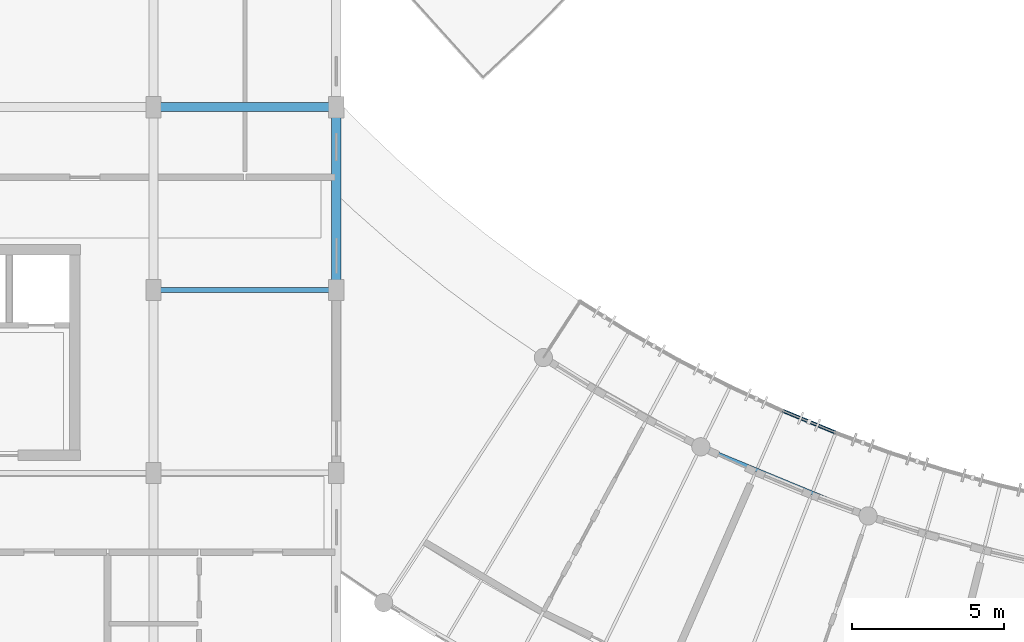
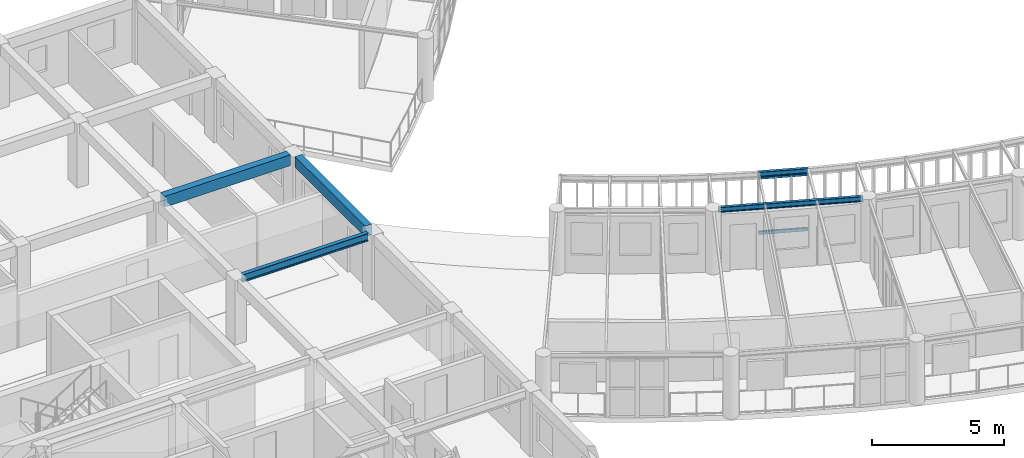
# One storey, part 8 of 101: 5 beams, 2 members.
"""IFC4 building model written with IfcOpenShell, lengths in metres."""

import ifcopenshell
import ifcopenshell.guid

model = None  # the IFC model being written
_history = None  # IfcOwnerHistory: only IFC2X3 demands one
_inside = {}  # id of a spatial element -> (the spatial element, [elements in it])
_under = {}  # id of a project, library or spatial element -> (it, [spatial elements below it])
_declared = {}  # id of a project -> (the project, [libraries it declares])
_typed = {}  # id of a type object -> (the type object, [elements of that type])
_made_of = {}  # id of a material, layer set ... -> (it, [elements and type objects made of it])


def new_model(schema):
    """Start an empty IFC model of exactly this schema.

    Asked for "IFC4X3", IfcOpenShell would pick the latest addendum, in which some entities
    have other attributes; the version numbers below select the first issue.
    IFC2X3 requires an IfcOwnerHistory on every rooted entity: one is made here for all.
    """
    global model, _history
    if schema == "IFC4X3":
        model = ifcopenshell.file(schema_version=(4, 3, 0, 0))
    else:
        model = ifcopenshell.file(schema=schema)
    _inside.clear()
    _under.clear()
    _declared.clear()
    _typed.clear()
    _made_of.clear()
    _history = None
    if model.schema == "IFC2X3":
        org = make("IfcOrganization", Name="unknown")
        user = make(
            "IfcPersonAndOrganization",
            ThePerson=make("IfcPerson", FamilyName="unknown"),
            TheOrganization=org,
        )
        app = make(
            "IfcApplication",
            ApplicationDeveloper=org,
            Version="unknown",
            ApplicationFullName="unknown",
            ApplicationIdentifier="unknown",
        )
        _history = make(
            "IfcOwnerHistory",
            OwningUser=user,
            OwningApplication=app,
            ChangeAction="ADDED",
            CreationDate=0,
        )
    return model


def make(cls, **values):
    """One entity of the class cls with the attributes given. An attribute that is None is left unset."""
    return model.create_entity(
        cls, **{name: value for name, value in values.items() if value is not None}
    )


def rooted(cls, **values):
    """An entity with a GlobalId (a new one), such as an element, a storey or a relation."""
    return make(cls, GlobalId=ifcopenshell.guid.new(), OwnerHistory=_history, **values)


def si_unit(unit_type, name, prefix=None):
    """IfcSIUnit, for example si_unit("LENGTHUNIT", "METRE", prefix="MILLI")."""
    return make("IfcSIUnit", UnitType=unit_type, Prefix=prefix, Name=name)


def assignment(units):
    """IfcUnitAssignment: the units of a project."""
    return None if units is None else make("IfcUnitAssignment", Units=units)


def point(xyz):
    """IfcCartesianPoint."""
    return None if xyz is None else make("IfcCartesianPoint", Coordinates=xyz)


def direction(xyz):
    """IfcDirection."""
    return None if xyz is None else make("IfcDirection", DirectionRatios=xyz)


def frame(location, z_axis=None, x_axis=None):
    """IfcAxis2Placement3D, a coordinate frame: its origin and axes. An axis left out is left unset."""
    return make(
        "IfcAxis2Placement3D",
        Location=point(location),
        Axis=direction(z_axis),
        RefDirection=direction(x_axis),
    )


def frame_2d(location, x_axis=None):
    """IfcAxis2Placement2D, a coordinate frame in the plane: its origin and x axis."""
    return make(
        "IfcAxis2Placement2D", Location=point(location), RefDirection=direction(x_axis)
    )


def origin():
    """The frame at (0, 0, 0) with its axes left unset."""
    return frame((0.0, 0.0, 0.0))


def origin_2d():
    """The frame at (0, 0) in the plane with its x axis left unset."""
    return frame_2d((0.0, 0.0))


def place(relative_to, where):
    """IfcLocalPlacement: puts the frame where relative to a parent placement (None: the world)."""
    return make(
        "IfcLocalPlacement", PlacementRelTo=relative_to, RelativePlacement=where
    )


def context(
    kind, dimensions, precision=None, world=None, true_north=None, identifier=None
):
    """IfcGeometricRepresentationContext, for example the 3D "Model" context."""
    return make(
        "IfcGeometricRepresentationContext",
        ContextIdentifier=identifier,
        ContextType=kind,
        CoordinateSpaceDimension=dimensions,
        Precision=precision,
        WorldCoordinateSystem=world,
        TrueNorth=true_north,
    )


def subcontext(parent, identifier, kind, view, scale=None):
    """IfcGeometricRepresentationSubContext, for example "Body" below "Model"."""
    return make(
        "IfcGeometricRepresentationSubContext",
        ContextIdentifier=identifier,
        ContextType=kind,
        ParentContext=parent,
        TargetScale=scale,
        TargetView=view,
    )


def project(units=None, contexts=None):
    """IfcProject with its units and contexts."""
    return rooted(
        "IfcProject",
        Name="project",
        RepresentationContexts=contexts,
        UnitsInContext=assignment(units),
    )


def spatial(cls, under=None, at=None, **own):
    """A site, building, storey or space (cls), placed at a placement, below another one or the project."""
    s = rooted(cls, ObjectPlacement=at, **own)
    if under is not None:
        _under.setdefault(under.id(), (under, []))[1].append(s)
    return s


def profile(cls, at=None, kind="AREA", **sizes):
    """A parametric profile (cls). Its sizes go by their IFC names, for example OverallWidth=200.0."""
    return make(cls, ProfileType=kind, Position=at, **sizes)


def rectangle(**sizes):
    """IfcRectangleProfileDef."""
    return profile("IfcRectangleProfileDef", **sizes)


def hollow_rectangle(**sizes):
    """IfcRectangleHollowProfileDef."""
    return profile("IfcRectangleHollowProfileDef", **sizes)


def i_section(**sizes):
    """IfcIShapeProfileDef."""
    return profile("IfcIShapeProfileDef", **sizes)


def extrude(swept, where, along, depth):
    """IfcExtrudedAreaSolid: the profile swept, set in the frame where, extruded along a direction by depth."""
    return make(
        "IfcExtrudedAreaSolid",
        SweptArea=swept,
        Position=where,
        ExtrudedDirection=direction(along),
        Depth=depth,
    )


def shape(context_of_items, identifier, shape_type, items):
    """IfcShapeRepresentation: the items that make up one representation, for example the "Body"."""
    return make(
        "IfcShapeRepresentation",
        ContextOfItems=context_of_items,
        RepresentationIdentifier=identifier,
        RepresentationType=shape_type,
        Items=items,
    )


def material(Name=None, Category=None):
    """IfcMaterial."""
    return make("IfcMaterial", Name=Name, Category=Category)


def material_profile(
    of_material, cross_section, Name=None, Category=None, Priority=None
):
    """IfcMaterialProfile: a cross section and its material."""
    return make(
        "IfcMaterialProfile",
        Name=Name,
        Material=of_material,
        Profile=cross_section,
        Priority=Priority,
        Category=Category,
    )


def profile_set(profiles, Name=None, composite=None):
    """IfcMaterialProfileSet."""
    return make(
        "IfcMaterialProfileSet",
        Name=Name,
        MaterialProfiles=profiles,
        CompositeProfile=composite,
    )


def made_of(thing, what):
    """Note that an element or type object is made of a material, layer set ...; save() writes the relation."""
    if what is not None:
        _made_of.setdefault(what.id(), (what, []))[1].append(thing)
    return thing


def type_object(cls, material=None, **own):
    """A type object (cls), such as IfcWallType, which elements share."""
    return made_of(rooted(cls, **own), material)


def element(
    cls,
    number,
    at=None,
    inside=None,
    cuts=None,
    type_object=None,
    material=None,
    context=None,
    identifier="Body",
    shape_type=None,
    held_by="IfcProductDefinitionShape",
    body=None,
    shapes=None,
    **own,
):
    """One element of the class cls, such as IfcWall. Its Tag is "e" and its number.

    at: its placement. inside: the storey or other place that contains it. cuts: it is an
    opening in that element (IfcRelVoidsElement). A single representation is given by context,
    identifier, shape_type and body (its items); several are given by shapes. held_by: the class
    of the entity that holds the representations. save() writes the other relations.
    """
    e = rooted(cls, Tag="e%d" % number, ObjectPlacement=at, **own)
    if body is not None:
        shapes = [shape(context, identifier, shape_type, body)]
    if shapes is not None:
        e.Representation = make(held_by, Representations=shapes)
    if inside is not None:
        _inside.setdefault(inside.id(), (inside, []))[1].append(e)
    if cuts is not None:
        rooted(
            "IfcRelVoidsElement", RelatingBuildingElement=cuts, RelatedOpeningElement=e
        )
    if type_object is not None:
        _typed.setdefault(type_object.id(), (type_object, []))[1].append(e)
    return made_of(e, material)


def aggregate(whole, parts):
    """IfcRelAggregates: a whole, such as a stair, and the parts it consists of."""
    return rooted("IfcRelAggregates", RelatingObject=whole, RelatedObjects=parts)


def save(model, path):
    """Write the relations noted so far, then the file.

    IfcRelAggregates (storeys below a building ...), IfcRelContainedInSpatialStructure (elements
    in a storey), IfcRelDefinesByType, IfcRelAssociatesMaterial and IfcRelDeclares: one each for
    every whole, place, type object, material and project.
    """
    for whole, parts in _under.values():
        aggregate(whole, parts)
    for where, things in _inside.values():
        rooted(
            "IfcRelContainedInSpatialStructure",
            RelatedElements=things,
            RelatingStructure=where,
        )
    for kind, things in _typed.values():
        rooted("IfcRelDefinesByType", RelatedObjects=things, RelatingType=kind)
    for what, things in _made_of.values():
        rooted("IfcRelAssociatesMaterial", RelatedObjects=things, RelatingMaterial=what)
    for by, libraries in _declared.values():
        rooted("IfcRelDeclares", RelatingContext=by, RelatedDefinitions=libraries)
    model.write(path)


model = new_model("IFC4")

# Units and contexts
model_context = context("Model", 3, precision=1e-05, world=origin(), true_north=direction((0.0, 1.0)))
body_context = subcontext(model_context, "Body", "Model", "MODEL_VIEW")
ifc_project = project(units=[si_unit("LENGTHUNIT", "METRE"), si_unit("AREAUNIT", "SQUARE_METRE"), si_unit("VOLUMEUNIT", "CUBIC_METRE"), si_unit("PLANEANGLEUNIT", "RADIAN"), si_unit("MASSUNIT", "GRAM", prefix="KILO"), si_unit("POWERUNIT", "WATT"), si_unit("THERMODYNAMICTEMPERATUREUNIT", "KELVIN")], contexts=[model_context])

# Site, building, storey
site_placement = place(None, origin())
site = spatial("IfcSite", under=ifc_project, at=site_placement, CompositionType="ELEMENT")
building_placement = place(site_placement, origin())
building = spatial("IfcBuilding", under=site, at=building_placement, Name="Ruvembo Vaulted Housing Court", CompositionType="ELEMENT")
storey_placement = place(building_placement, frame((0.0, 0.0, 17.300048828125)))
storey = spatial("IfcBuildingStorey", under=building, at=storey_placement, Name="L05", CompositionType="ELEMENT", Elevation=17.300048828125)

# Beams
ifc_material_1 = material(Name="Steel S355J2", Category="steel")
ifc_material_profile_1 = material_profile(ifc_material_1, i_section(OverallWidth=0.1201171875, OverallDepth=0.239990234375, WebThickness=0.006103515625, FlangeThickness=0.009765625, FilletRadius=0.014892578125, at=origin_2d()), Name="IPE 240")
ifc_profile_set_1 = profile_set([ifc_material_profile_1], Name="Steel S355J2")
beam_type_1 = type_object("IfcBeamType", Name="BM-ST-IPE240", PredefinedType="BEAM", material=ifc_profile_set_1)
beam_1_placement = place(storey_placement, frame((48.1337890625, 18.785400390625, 2.81396484375), z_axis=(0.924189626462, -0.381933939759, 0.0), x_axis=(0.381933939759, 0.924189626462, 0.0)))
element("IfcBeam", 1, at=beam_1_placement, inside=storey, type_object=beam_type_1, Name="Scoop SC2 L05 Chord Girder F3", PredefinedType="BEAM", context=body_context, shape_type="SweptSolid", body=[
    extrude(i_section(OverallWidth=0.1201171875, OverallDepth=0.239990234375, WebThickness=0.006103515625, FlangeThickness=0.009765625, FilletRadius=0.014892578125, at=origin_2d()), origin(), (0.0, 0.0, 1.0), 5.556640625),
])
beam_2_placement = place(storey_placement, frame((50.637451171875, 20.042236328125, 2.81201171875), z_axis=(0.924155321549, -0.38201693896, 0.0), x_axis=(0.38201693896, 0.924155321549, 0.0)))
element("IfcBeam", 2, at=beam_2_placement, inside=storey, type_object=beam_type_1, Name="Scoop SC2 L05 Balcony Edge Spandrel 4", PredefinedType="BEAM", context=body_context, shape_type="SweptSolid", body=[
    extrude(i_section(OverallWidth=0.1201171875, OverallDepth=0.239990234375, WebThickness=0.006103515625, FlangeThickness=0.009765625, FilletRadius=0.014892578125, at=origin_2d()), origin(), (0.0, 0.0, 1.0), 1.88916015625),
])
ifc_material_profile_2 = material_profile(ifc_material_1, i_section(OverallWidth=0.169921875, OverallDepth=0.360107421875, WebThickness=0.008056640625, FlangeThickness=0.0126953125, FilletRadius=0.01806640625, at=origin_2d()), Name="IPE 360")
ifc_profile_set_2 = profile_set([ifc_material_profile_2], Name="Steel S355J2")
beam_type_2 = type_object("IfcBeamType", Name="BM-ST-IPE360", PredefinedType="BEAM", material=ifc_profile_set_2)
beam_3_placement = place(storey_placement, frame((30.235107421875, 24.0, 2.745849609375), z_axis=(1.0, 0.0, 0.0), x_axis=(0.0, 1.0, 0.0)))
element("IfcBeam", 3, at=beam_3_placement, inside=storey, type_object=beam_type_2, Name="L05 Grid Beam X #2322", PredefinedType="BEAM", context=body_context, shape_type="SweptSolid", body=[
    extrude(i_section(OverallWidth=0.169921875, OverallDepth=0.360107421875, WebThickness=0.008056640625, FlangeThickness=0.0126953125, FilletRadius=0.01806640625, at=origin_2d()), origin(), (0.0, 0.0, 1.0), 5.52978515625),
])

# Members
ifc_material_profile_3 = material_profile(ifc_material_1, hollow_rectangle(XDim=0.06005859375, YDim=0.1201171875, WallThickness=0.0048828125, InnerFilletRadius=0.0048828125, OuterFilletRadius=0.010009765625, at=origin_2d()), Name="RHS 120x60x5")
ifc_profile_set_3 = profile_set([ifc_material_profile_3], Name="Steel S355J2")
member_type_1 = type_object("IfcMemberType", Name="MEM-CAR-RHS120", PredefinedType="CHORD", material=ifc_profile_set_3)
member_1_placement = place(storey_placement, frame((50.637451171875, 20.042236328125, 2.635009765625), z_axis=(0.924155321549, -0.38201693896, 0.0), x_axis=(0.38201693896, 0.924155321549, 0.0)))
element("IfcMember", 4, at=member_1_placement, inside=storey, type_object=member_type_1, Name="Scoop SC2 L05 Upper Louvre Carrier Rail 4", PredefinedType="CHORD", context=body_context, shape_type="SweptSolid", body=[
    extrude(hollow_rectangle(XDim=0.06005859375, YDim=0.1201171875, WallThickness=0.0048828125, InnerFilletRadius=0.0048828125, OuterFilletRadius=0.010009765625, at=origin_2d()), origin(), (0.0, 0.0, 1.0), 1.88916015625),
])
ifc_material_profile_4 = material_profile(ifc_material_1, hollow_rectangle(XDim=0.080078125, YDim=0.14990234375, WallThickness=0.00634765625, InnerFilletRadius=0.00634765625, OuterFilletRadius=0.0126953125, at=origin_2d()), Name="RHS 150x80x6.3")
ifc_profile_set_4 = profile_set([ifc_material_profile_4], Name="Steel S355J2")
member_type_2 = type_object("IfcMemberType", Name="MEM-CAR-RHS150", PredefinedType="CHORD", material=ifc_profile_set_4)
member_2_placement = place(storey_placement, frame((50.637451171875, 20.042236328125, 0.094970703125), z_axis=(0.924155321549, -0.38201693896, 0.0), x_axis=(0.38201693896, 0.924155321549, 0.0)))
element("IfcMember", 5, at=member_2_placement, inside=storey, type_object=member_type_2, Name="Scoop SC2 L05 Lower Louvre Carrier Rail 4", PredefinedType="CHORD", context=body_context, shape_type="SweptSolid", body=[
    extrude(hollow_rectangle(XDim=0.080078125, YDim=0.14990234375, WallThickness=0.00634765625, InnerFilletRadius=0.00634765625, OuterFilletRadius=0.0126953125, at=origin_2d()), origin(), (0.0, 0.0, 1.0), 1.88916015625),
])

# Beams
ifc_material_2 = material(Name="Concrete C35/45", Category="concrete")
ifc_material_profile_5 = material_profile(ifc_material_2, rectangle(XDim=0.300048828125, YDim=0.5, at=origin_2d()), Name="RC 300x500")
ifc_profile_set_5 = profile_set([ifc_material_profile_5], Name="Concrete C35/45")
beam_type_3 = type_object("IfcBeamType", Name="SP-RC-300x500", PredefinedType="SPANDREL", material=ifc_profile_set_5)
beam_4_placement = place(storey_placement, frame((30.235107421875, 30.0, 2.71484375), z_axis=(1.0, 0.0, 0.0), x_axis=(0.0, 1.0, 0.0)))
element("IfcBeam", 6, at=beam_4_placement, inside=storey, type_object=beam_type_3, Name="L05 Grid Beam X #2334", PredefinedType="SPANDREL", context=body_context, shape_type="SweptSolid", body=[
    extrude(rectangle(XDim=0.300048828125, YDim=0.5, at=origin_2d()), origin(), (0.0, 0.0, 1.0), 5.52978515625),
])
beam_5_placement = place(storey_placement, frame((36.0, 24.3349609375, 2.71484375), z_axis=(0.0, 1.0, 0.0), x_axis=(-1.0, 0.0, 0.0)))
element("IfcBeam", 7, at=beam_5_placement, inside=storey, type_object=beam_type_3, Name="L05 Grid Beam Y #2453", PredefinedType="SPANDREL", context=body_context, shape_type="SweptSolid", body=[
    extrude(rectangle(XDim=0.300048828125, YDim=0.5, at=origin_2d()), origin(), (0.0, 0.0, 1.0), 5.330078125),
])

save(model, "model.ifc")
